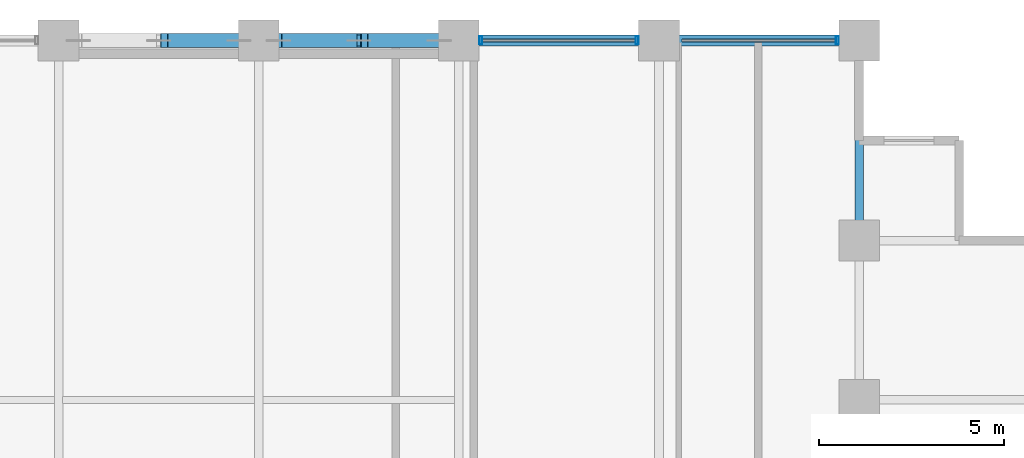
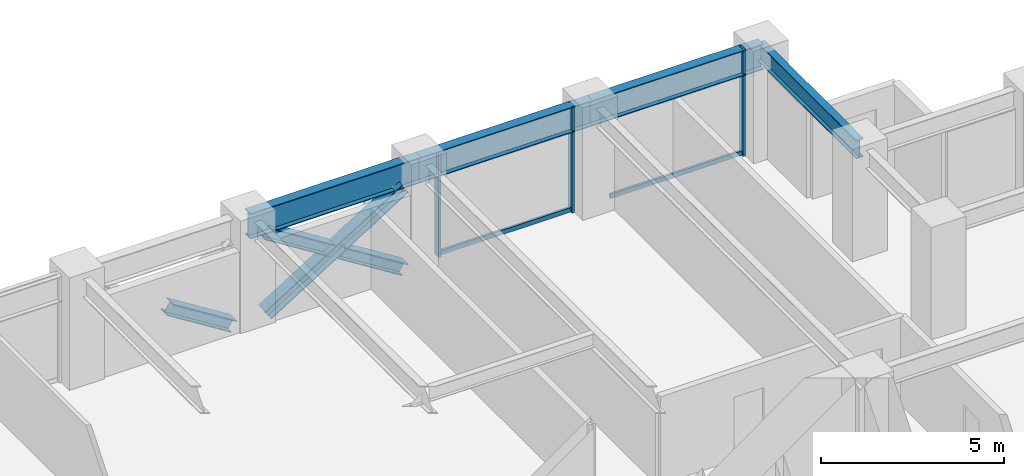
# One storey, part 18 of 26: 9 members, 4 beams, 1 element without a shape of its own.
"""IFC4 building model written with IfcOpenShell, lengths in metres."""

from ifc_helpers import new_model, si_unit, direction, frame, origin, origin_2d, place, context, subcontext, project, spatial, hollow_rectangle, i_section, extrude, material, layer, layer_set, material_profile, profile_set, type_object, element, aggregate, save


model = new_model("IFC4")

# Units and contexts
model_context = context("Model", 3, precision=1e-05, world=origin(), true_north=direction((0.0, 1.0)))
body_context = subcontext(model_context, "Body", "Model", "MODEL_VIEW")
ifc_project = project(units=[si_unit("LENGTHUNIT", "METRE"), si_unit("AREAUNIT", "SQUARE_METRE"), si_unit("VOLUMEUNIT", "CUBIC_METRE"), si_unit("PLANEANGLEUNIT", "RADIAN"), si_unit("MASSUNIT", "GRAM", prefix="KILO")], contexts=[model_context])

# Site, building, storey
site_placement = place(None, origin())
site = spatial("IfcSite", under=ifc_project, at=site_placement, CompositionType="ELEMENT")
building_placement = place(site_placement, origin())
building = spatial("IfcBuilding", under=site, at=building_placement, Name="Surkhivell Harbour Commons", CompositionType="ELEMENT")
storey_placement = place(building_placement, frame((0.0, 0.0, 102.0)))
storey = spatial("IfcBuildingStorey", under=building, at=storey_placement, Name="L26", CompositionType="ELEMENT", Elevation=102.0)

# Beams
ifc_material_1 = material(Name="Steel S355", Category="steel")
ifc_material_profile_1 = material_profile(ifc_material_1, i_section(OverallWidth=0.22998046875, OverallDepth=0.616943359375, WebThickness=0.01318359375, FlangeThickness=0.022216796875, at=origin_2d()), Name="UB610x229x140")
ifc_profile_set_1 = profile_set([ifc_material_profile_1], Name="Steel S355")
beam_type_1 = type_object("IfcBeamType", Name="BM-GRD-610B", PredefinedType="BEAM", material=ifc_profile_set_1)
beam_1_placement = place(storey_placement, frame((16.199951171875, 20.5, 3.261474609375), z_axis=(0.0, 1.0, 0.0), x_axis=(-1.0, 0.0, 0.0)))
element("IfcBeam", 1, at=beam_1_placement, inside=storey, type_object=beam_type_1, Name="L26 Floor Girder (16.2,20.5)", PredefinedType="BEAM", context=body_context, shape_type="SweptSolid", body=[
    extrude(i_section(OverallWidth=0.22998046875, OverallDepth=0.616943359375, WebThickness=0.01318359375, FlangeThickness=0.022216796875, at=origin_2d()), origin(), (0.0, 0.0, 1.0), 5.39990234375),
])
ifc_material_2 = material(Name="Steel S460", Category="steel")
ifc_material_profile_2 = material_profile(ifc_material_2, i_section(OverallWidth=0.2939453125, OverallDepth=0.85107421875, WebThickness=0.01611328125, FlangeThickness=0.02685546875, at=origin_2d()), Name="UB838x292x226")
ifc_profile_set_2 = profile_set([ifc_material_profile_2], Name="Steel S460")
beam_type_2 = type_object("IfcBeamType", Name="BM-SPN-838", PredefinedType="SPANDREL", material=ifc_profile_set_2)
beam_2_placement = place(storey_placement, frame((0.0, 25.89990234375, 3.14453125), z_axis=(1.0, 0.0, 0.0), x_axis=(0.0, 1.0, 0.0)))
element("IfcBeam", 2, at=beam_2_placement, inside=storey, type_object=beam_type_2, Name="L26 Tube Spandrel (-0.0,25.9)", PredefinedType="SPANDREL", context=body_context, shape_type="SweptSolid", body=[
    extrude(i_section(OverallWidth=0.2939453125, OverallDepth=0.85107421875, WebThickness=0.01611328125, FlangeThickness=0.02685546875, at=origin_2d()), origin(), (0.0, 0.0, 1.0), 5.39990234375),
])
beam_3_placement = place(storey_placement, frame((5.39990234375, 25.89990234375, 3.14453125), z_axis=(1.0, 0.0, 0.0), x_axis=(0.0, 1.0, 0.0)))
element("IfcBeam", 3, at=beam_3_placement, inside=storey, type_object=beam_type_2, Name="L26 Tube Spandrel (5.4,25.9)", PredefinedType="SPANDREL", context=body_context, shape_type="SweptSolid", body=[
    extrude(i_section(OverallWidth=0.2939453125, OverallDepth=0.85107421875, WebThickness=0.01611328125, FlangeThickness=0.02685546875, at=origin_2d()), origin(), (0.0, 0.0, 1.0), 5.400146484375),
])
beam_4_placement = place(storey_placement, frame((10.800048828125, 25.89990234375, 3.14453125), z_axis=(1.0, 0.0, 0.0), x_axis=(0.0, 1.0, 0.0)))
element("IfcBeam", 4, at=beam_4_placement, inside=storey, type_object=beam_type_2, Name="L26 Tube Spandrel (10.8,25.9)", PredefinedType="SPANDREL", context=body_context, shape_type="SweptSolid", body=[
    extrude(i_section(OverallWidth=0.2939453125, OverallDepth=0.85107421875, WebThickness=0.01611328125, FlangeThickness=0.02685546875, at=origin_2d()), origin(), (0.0, 0.0, 1.0), 5.39990234375),
])

# Curtain wall, members
ifc_material_3 = material(Name="Anodised pale-metal aluminium and insulated glazing", Category="aluminium")
ifc_layer = layer(ifc_material_3, 0.205078125)
ifc_layer_set = layer_set([ifc_layer], Name="Anodised pale-metal aluminium and insulated glazing")
curtain_wall_type = type_object("IfcCurtainWallType", Name="CW-SYS-Z2", PredefinedType="NOTDEFINED", material=ifc_layer_set)
curtain_wall_placement = place(storey_placement, origin())
curtain_wall = element("IfcCurtainWall", 5, at=curtain_wall_placement, inside=storey, type_object=curtain_wall_type, Name="L26 Curtain Wall CW-L26-E07S1", PredefinedType="NOTDEFINED")
ifc_material_4 = material(Name="Anodised pale-metal aluminium alloy 6063-T6", Category="aluminium")
ifc_material_profile_3 = material_profile(ifc_material_4, hollow_rectangle(XDim=0.074951171875, YDim=0.219970703125, WallThickness=0.00390625, at=origin_2d()), Name="ALU-MULL-75x220")
ifc_profile_set_3 = profile_set([ifc_material_profile_3], Name="Anodised pale-metal aluminium alloy 6063-T6")
member_type_1 = type_object("IfcMemberType", Name="CWM-220", PredefinedType="MULLION", material=ifc_profile_set_3)
member_1_placement = place(storey_placement, frame((15.610595703125, 25.89990234375, 0.0), z_axis=(0.0, 0.0, 1.0), x_axis=(-1.0, 0.0, 0.0)))
member_1 = element("IfcMember", 6, at=member_1_placement, type_object=member_type_1, Name="CW-Z2 mullion 1", PredefinedType="MULLION", context=body_context, shape_type="SweptSolid", body=[
    extrude(hollow_rectangle(XDim=0.074951171875, YDim=0.219970703125, WallThickness=0.00390625, at=origin_2d()), origin(), (0.0, 0.0, 1.0), 3.570068359375),
])
member_2_placement = place(storey_placement, frame((10.21044921875, 25.89990234375, 0.0), z_axis=(0.0, 0.0, 1.0), x_axis=(-1.0, 0.0, 0.0)))
member_2 = element("IfcMember", 7, at=member_2_placement, type_object=member_type_1, Name="CW-Z2 mullion 2", PredefinedType="MULLION", context=body_context, shape_type="SweptSolid", body=[
    extrude(hollow_rectangle(XDim=0.074951171875, YDim=0.219970703125, WallThickness=0.00390625, at=origin_2d()), origin(), (0.0, 0.0, 1.0), 3.570068359375),
])
member_3_placement = place(storey_placement, frame((5.989501953125, 25.89990234375, 0.0), z_axis=(0.0, 0.0, 1.0), x_axis=(-1.0, 0.0, 0.0)))
member_3 = element("IfcMember", 8, at=member_3_placement, type_object=member_type_1, Name="CW-Z2 mullion 3", PredefinedType="MULLION", context=body_context, shape_type="SweptSolid", body=[
    extrude(hollow_rectangle(XDim=0.074951171875, YDim=0.219970703125, WallThickness=0.00390625, at=origin_2d()), origin(), (0.0, 0.0, 1.0), 3.570068359375),
])
ifc_material_profile_4 = material_profile(ifc_material_4, hollow_rectangle(XDim=0.074951171875, YDim=0.14990234375, WallThickness=0.00341796875, at=origin_2d()), Name="ALU-TRAN-75x150")
ifc_profile_set_4 = profile_set([ifc_material_profile_4], Name="Anodised pale-metal aluminium alloy 6063-T6")
member_type_2 = type_object("IfcMemberType", Name="CWT-150", PredefinedType="USERDEFINED", material=ifc_profile_set_4)
member_4_placement = place(storey_placement, frame((15.572998046875, 25.89990234375, 0.074951171875), z_axis=(-1.0, 0.0, 0.0), x_axis=(0.0, -1.0, 0.0)))
member_4 = element("IfcMember", 9, at=member_4_placement, type_object=member_type_2, Name="CW-Z2 transom 1.1", ObjectType="TRANSOM", PredefinedType="USERDEFINED", context=body_context, shape_type="SweptSolid", body=[
    extrude(hollow_rectangle(XDim=0.074951171875, YDim=0.14990234375, WallThickness=0.00341796875, at=origin_2d()), origin(), (0.0, 0.0, 1.0), 4.14599609375),
])
member_5_placement = place(storey_placement, frame((10.173095703125, 25.89990234375, 0.074951171875), z_axis=(-1.0, 0.0, 0.0), x_axis=(0.0, -1.0, 0.0)))
member_5 = element("IfcMember", 10, at=member_5_placement, type_object=member_type_2, Name="CW-Z2 transom 2.1", ObjectType="TRANSOM", PredefinedType="USERDEFINED", context=body_context, shape_type="SweptSolid", body=[
    extrude(hollow_rectangle(XDim=0.074951171875, YDim=0.14990234375, WallThickness=0.00341796875, at=origin_2d()), origin(), (0.0, 0.0, 1.0), 4.14599609375),
])
aggregate(curtain_wall, [member_1, member_4, member_2, member_3, member_5])

# Members
ifc_material_profile_5 = material_profile(ifc_material_2, i_section(OverallWidth=0.375, OverallDepth=0.375, WebThickness=0.0166015625, FlangeThickness=0.027099609375, at=origin_2d()), Name="UC356x368x202")
ifc_profile_set_5 = profile_set([ifc_material_profile_5], Name="Steel S460")
member_type_3 = type_object("IfcMemberType", Name="MEM-BRC-UC356", PredefinedType="BRACE", material=ifc_profile_set_5)
member_6_placement = place(storey_placement, frame((-0.534912109375, 25.89990234375, 0.008056640625), z_axis=(-0.8472353132, 0.0, 0.531217774615), x_axis=(0.0, -1.0, 0.0)))
element("IfcMember", 11, at=member_6_placement, inside=storey, type_object=member_type_3, Name="L26 Perimeter Mega-Brace MB- 02", PredefinedType="BRACE", context=body_context, shape_type="SweptSolid", body=[
    extrude(i_section(OverallWidth=0.375, OverallDepth=0.375, WebThickness=0.0166015625, FlangeThickness=0.027099609375, at=origin_2d()), origin(), (0.0, 0.0, 1.0), 2.37548828125),
])
member_7_placement = place(storey_placement, frame((0.534912109375, 25.89990234375, 0.008056640625), z_axis=(0.847246015888, 0.0, 0.531200704594), x_axis=(0.0, 1.0, 0.0)))
element("IfcMember", 12, at=member_7_placement, inside=storey, type_object=member_type_3, Name="L26 Perimeter Mega-Brace MB- 04", PredefinedType="BRACE", context=body_context, shape_type="SweptSolid", body=[
    extrude(i_section(OverallWidth=0.375, OverallDepth=0.375, WebThickness=0.0166015625, FlangeThickness=0.027099609375, at=origin_2d()), origin(), (0.0, 0.0, 1.0), 5.11083984375),
])
for number, where, z_axis, x_axis, name in (
    (13, (4.864990234375, 25.89990234375, 0.008056640625), (-0.847206308526, 0.0, 0.53126403115), (0.0, -1.0, 0.0), "L26 Perimeter Mega-Brace MB- 05"),
    (14, (2.547607421875, 25.89990234375, 1.461181640625), (-0.847281565812, 0.0, 0.531143999529), (0.0, -1.0, 0.0), "L26 Perimeter Mega-Brace MB- 06"),
):
    element("IfcMember", number, at=place(storey_placement, frame(where, z_axis=z_axis, x_axis=x_axis)), inside=storey, type_object=member_type_3, Name=name, PredefinedType="BRACE", context=body_context, shape_type="SweptSolid", body=[
        extrude(i_section(OverallWidth=0.375, OverallDepth=0.375, WebThickness=0.0166015625, FlangeThickness=0.027099609375, at=origin_2d()), origin(), (0.0, 0.0, 1.0), 2.37548828125),
    ])

save(model, "model.ifc")
